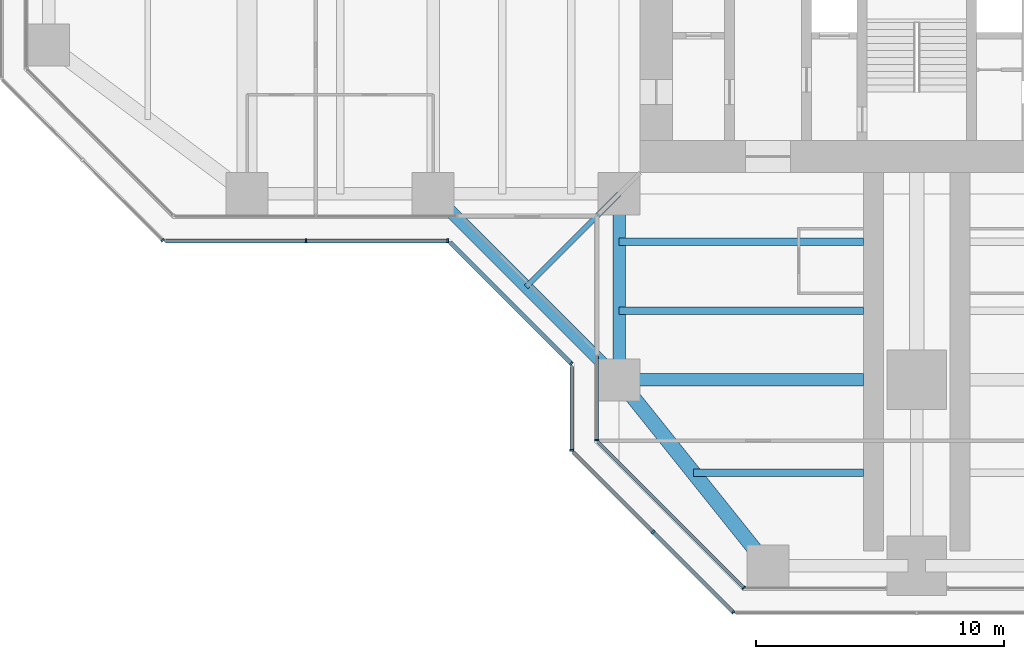
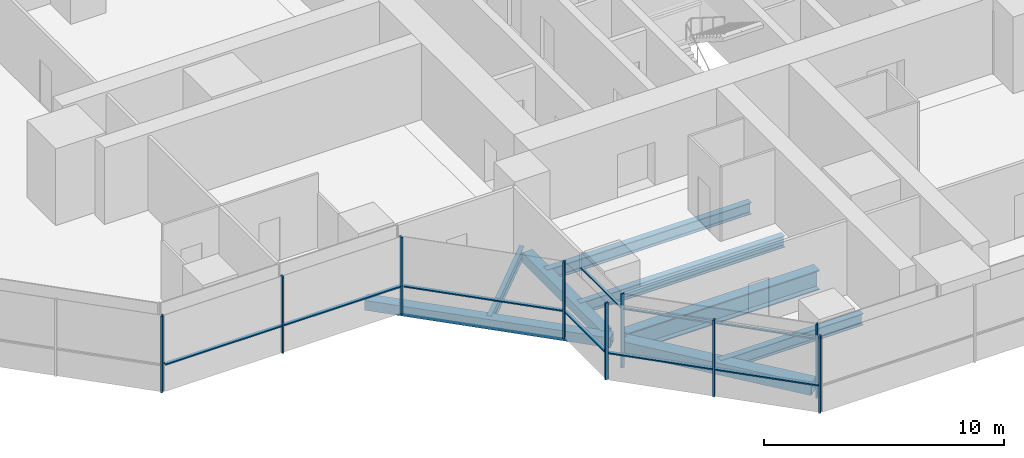
# One storey, part 2 of 19: 17 members, 8 beams, 7 elements without a shape of their own.
"""IFC4 building model written with IfcOpenShell, lengths in metres."""

from ifc_helpers import new_model, si_unit, direction, frame, origin, origin_2d, place, context, subcontext, project, spatial, rectangle, hollow_rectangle, i_section, extrude, material, material_profile, profile_set, type_object, element, aggregate, save


model = new_model("IFC4")

# Units and contexts
model_context = context("Model", 3, precision=1e-05, world=origin(), true_north=direction((0.0, 1.0)))
body_context = subcontext(model_context, "Body", "Model", "MODEL_VIEW")
ifc_project = project(units=[si_unit("LENGTHUNIT", "METRE"), si_unit("AREAUNIT", "SQUARE_METRE"), si_unit("VOLUMEUNIT", "CUBIC_METRE"), si_unit("PLANEANGLEUNIT", "RADIAN"), si_unit("MASSUNIT", "GRAM", prefix="KILO")], contexts=[model_context])

# Site, building, storey
site_placement = place(None, origin())
site = spatial("IfcSite", under=ifc_project, at=site_placement, CompositionType="ELEMENT")
building_placement = place(site_placement, origin())
building = spatial("IfcBuilding", under=site, at=building_placement, Name="Mizan Broadcast Tower", CompositionType="ELEMENT")
storey_placement = place(building_placement, frame((0.0, 0.0, 186.60009765625)))
storey = spatial("IfcBuildingStorey", under=building, at=storey_placement, Name="L43", CompositionType="ELEMENT", Elevation=186.60009765625)

# Beams
ifc_material_1 = material(Name="Steel S355", Category="steel")
ifc_material_profile_1 = material_profile(ifc_material_1, hollow_rectangle(XDim=0.5, YDim=0.5, WallThickness=0.030029296875, at=origin_2d()), Name="BOX 500x500x30")
ifc_profile_set_1 = profile_set([ifc_material_profile_1], Name="Steel S355")
beam_type_1 = type_object("IfcBeamType", Name="EDGE BEAM BOX 500x500x30", PredefinedType="SPANDREL", material=ifc_profile_set_1)
beam_1_placement = place(storey_placement, frame((-12.0, -12.449951171875, -0.380126953125), z_axis=(0.0, -1.0, 0.0), x_axis=(1.0, 0.0, 0.0)))
element("IfcBeam", 1, at=beam_1_placement, inside=storey, type_object=beam_type_1, Name="Edge beam BOX 500x500x30 L43 south arm", PredefinedType="SPANDREL", context=body_context, shape_type="SweptSolid", body=[
    extrude(hollow_rectangle(XDim=0.5, YDim=0.5, WallThickness=0.030029296875, at=origin_2d()), origin(), (0.0, 0.0, 1.0), 6.60009765625),
])
beam_2_placement = place(storey_placement, frame((-19.5, -12.0, -0.380126953125), z_axis=(0.707106781187, -0.707106781187, 0.0), x_axis=(0.707106781187, 0.707106781187, 0.0)))
element("IfcBeam", 2, at=beam_2_placement, inside=storey, type_object=beam_type_1, Name="Winter garden edge beam L43 W", PredefinedType="SPANDREL", context=body_context, shape_type="SweptSolid", body=[
    extrude(hollow_rectangle(XDim=0.5, YDim=0.5, WallThickness=0.030029296875, at=origin_2d()), origin(), (0.0, 0.0, 1.0), 10.606689453125),
])
ifc_material_2 = material(Name="Steel S355", Category="steel")
ifc_material_profile_2 = material_profile(ifc_material_2, hollow_rectangle(XDim=0.60009765625, YDim=0.60009765625, WallThickness=0.030029296875, at=origin_2d()), Name="BOX 600x600x30")
ifc_profile_set_2 = profile_set([ifc_material_profile_2], Name="Steel S355")
beam_type_2 = type_object("IfcBeamType", Name="EDGE BEAM BOX 600x600x30", PredefinedType="SPANDREL", material=ifc_profile_set_2)
beam_3_placement = place(storey_placement, frame((-11.639892578125, -19.949951171875, -0.43017578125), z_axis=(0.624673911726, -0.780885717636, 0.0), x_axis=(0.780885717636, 0.624673911726, 0.0)))
element("IfcBeam", 3, at=beam_3_placement, inside=storey, type_object=beam_type_2, Name="Edge beam BOX 600x600x30 L43 south arm", PredefinedType="SPANDREL", context=body_context, shape_type="SweptSolid", body=[
    extrude(hollow_rectangle(XDim=0.60009765625, YDim=0.60009765625, WallThickness=0.030029296875, at=origin_2d()), origin(), (0.0, 0.0, 1.0), 8.4521484375),
])
ifc_material_3 = material(Name="Steel S460", Category="steel")
ifc_material_profile_3 = material_profile(ifc_material_3, i_section(OverallWidth=0.5, OverallDepth=1.0, WebThickness=0.02490234375, FlangeThickness=0.050048828125, at=origin_2d()), Name="WPG 1000x500")
ifc_profile_set_3 = profile_set([ifc_material_profile_3], Name="Steel S460")
beam_type_3 = type_object("IfcBeamType", Name="GIRDER WPG 1000x500", PredefinedType="BEAM", material=ifc_profile_set_3)
beam_4_placement = place(storey_placement, frame((-11.408935546875, -19.5, -0.630126953125), z_axis=(1.0, 0.0, 0.0), x_axis=(0.0, 1.0, 0.0)))
element("IfcBeam", 4, at=beam_4_placement, inside=storey, type_object=beam_type_3, Name="Girder WPG 1000x500 L43 south arm", PredefinedType="BEAM", context=body_context, shape_type="SweptSolid", body=[
    extrude(i_section(OverallWidth=0.5, OverallDepth=1.0, WebThickness=0.02490234375, FlangeThickness=0.050048828125, at=origin_2d()), origin(), (0.0, 0.0, 1.0), 9.259033203125),
])

# Curtain wall, member
ifc_material_4 = material(Name="Aluminium framed glazing", Category="aluminium")
curtain_wall_type_1 = type_object("IfcCurtainWallType", Name="INNER SKIN MID ZONE", PredefinedType="USERDEFINED", material=ifc_material_4)
curtain_wall_1_placement = place(storey_placement, origin())
curtain_wall_1 = element("IfcCurtainWall", 5, at=curtain_wall_1_placement, inside=storey, type_object=curtain_wall_type_1, Name="Inner skin mid zone L43 S side", ObjectType="INNER SKIN MID ZONE", PredefinedType="USERDEFINED")
ifc_material_5 = material(Name="Aluminium, pale anodised", Category="aluminium")
ifc_material_profile_4 = material_profile(ifc_material_5, rectangle(XDim=0.159912109375, YDim=0.06005859375, at=origin_2d()), Name="MULLION 160x60")
ifc_profile_set_4 = profile_set([ifc_material_profile_4], Name="Aluminium, pale anodised")
member_type_1 = type_object("IfcMemberType", Name="INNER SKIN MULLION 60x160", PredefinedType="MULLION", material=ifc_profile_set_4)
member_1_placement = place(storey_placement, frame((-12.89990234375, -21.928466796875, 0.0), z_axis=(0.0, 0.0, 1.0), x_axis=(1.0, 0.0, 0.0)))
member_1 = element("IfcMember", 6, at=member_1_placement, type_object=member_type_1, Name="Inner skin mid zone L43 S side mullion 2", PredefinedType="MULLION", context=body_context, shape_type="SweptSolid", body=[
    extrude(rectangle(XDim=0.159912109375, YDim=0.06005859375, at=origin_2d()), origin(), (0.0, 0.0, 1.0), 3.77001953125),
])

curtain_wall_2_placement = place(storey_placement, origin())
curtain_wall_2 = element("IfcCurtainWall", 7, at=curtain_wall_2_placement, inside=storey, type_object=curtain_wall_type_1, Name="Inner skin mid zone L43 S chamfer", ObjectType="INNER SKIN MID ZONE", PredefinedType="USERDEFINED")
member_2_placement = place(storey_placement, frame((-6.979736328125, -27.87890625, 0.0), z_axis=(0.0, 0.0, 1.0), x_axis=(0.707106781187, 0.707106781187, 0.0)))
member_2 = element("IfcMember", 8, at=member_2_placement, type_object=member_type_1, Name="Inner skin mid zone L43 S chamfer mullion 2", PredefinedType="MULLION", context=body_context, shape_type="SweptSolid", body=[
    extrude(rectangle(XDim=0.159912109375, YDim=0.06005859375, at=origin_2d()), origin(), (0.0, 0.0, 1.0), 3.77001953125),
])

# Member
ifc_material_6 = material(Name="Aluminium, pale anodised", Category="aluminium")
ifc_material_profile_5 = material_profile(ifc_material_6, rectangle(XDim=0.1201171875, YDim=0.06005859375, at=origin_2d()), Name="TRANSOM 120x60")
ifc_profile_set_5 = profile_set([ifc_material_profile_5], Name="Aluminium, pale anodised")
member_type_2 = type_object("IfcMemberType", Name="INNER SKIN TRANSOM 60x120", PredefinedType="USERDEFINED", material=ifc_profile_set_5)
member_3_placement = place(storey_placement, frame((-12.89990234375, -18.56005859375, 3.02978515625), z_axis=(0.0, -1.0, 0.0), x_axis=(1.0, 0.0, 0.0)))
member_3 = element("IfcMember", 9, at=member_3_placement, type_object=member_type_2, Name="Inner skin mid zone L43 S side transom 1.1", ObjectType="TRANSOM", PredefinedType="USERDEFINED", context=body_context, shape_type="SweptSolid", body=[
    extrude(rectangle(XDim=0.1201171875, YDim=0.06005859375, at=origin_2d()), origin(), (0.0, 0.0, 1.0), 3.338623046875),
])

aggregate(curtain_wall_1, [member_1, member_3])

member_4_placement = place(storey_placement, frame((-12.857666015625, -22.0009765625, 3.02978515625), z_axis=(0.707106781187, -0.707106781187, 0.0), x_axis=(0.707106781187, 0.707106781187, 0.0)))
member_4 = element("IfcMember", 10, at=member_4_placement, type_object=member_type_2, Name="Inner skin mid zone L43 S chamfer transom 1.1", ObjectType="TRANSOM", PredefinedType="USERDEFINED", context=body_context, shape_type="SweptSolid", body=[
    extrude(rectangle(XDim=0.1201171875, YDim=0.06005859375, at=origin_2d()), origin(), (0.0, 0.0, 1.0), 8.28271484375),
])

aggregate(curtain_wall_2, [member_2, member_4])

# Curtain wall, member
ifc_material_7 = material(Name="Aluminium framed glazing", Category="aluminium")
curtain_wall_type_2 = type_object("IfcCurtainWallType", Name="OUTER SKIN", PredefinedType="USERDEFINED", material=ifc_material_7)
curtain_wall_3_placement = place(storey_placement, origin())
curtain_wall_3 = element("IfcCurtainWall", 11, at=curtain_wall_3_placement, inside=storey, type_object=curtain_wall_type_2, Name="Outer skin L43 W chamfer", ObjectType="OUTER SKIN", PredefinedType="USERDEFINED")
ifc_material_8 = material(Name="Aluminium, pale anodised", Category="aluminium")
ifc_material_profile_6 = material_profile(ifc_material_8, rectangle(XDim=0.159912109375, YDim=0.080078125, at=origin_2d()), Name="MULLION 160x80")
ifc_profile_set_6 = profile_set([ifc_material_profile_6], Name="Aluminium, pale anodised")
member_type_3 = type_object("IfcMemberType", Name="OUTER SKIN MULLION 80x160", PredefinedType="MULLION", material=ifc_profile_set_6)
member_5_placement = place(storey_placement, frame((-30.401123046875, -13.871826171875, 0.0), z_axis=(0.0, 0.0, 1.0), x_axis=(0.707106781187, 0.707106781187, 0.0)))
member_5 = element("IfcMember", 12, at=member_5_placement, type_object=member_type_3, Name="Outer skin L43 W chamfer mullion 3", PredefinedType="MULLION", context=body_context, shape_type="SweptSolid", body=[
    extrude(rectangle(XDim=0.159912109375, YDim=0.080078125, at=origin_2d()), origin(), (0.0, 0.0, 1.0), 3.89990234375),
])
aggregate(curtain_wall_3, [member_5])

# Curtain wall, members
curtain_wall_4_placement = place(storey_placement, origin())
curtain_wall_4 = element("IfcCurtainWall", 13, at=curtain_wall_4_placement, inside=storey, type_object=curtain_wall_type_2, Name="Outer skin L43 W side", ObjectType="OUTER SKIN", PredefinedType="USERDEFINED")
member_6_placement = place(storey_placement, frame((-24.622802734375, -13.89990234375, 0.0), z_axis=(0.0, 0.0, 1.0), x_axis=(0.0, 1.0, 0.0)))
member_6 = element("IfcMember", 14, at=member_6_placement, type_object=member_type_3, Name="Outer skin L43 W side mullion 2", PredefinedType="MULLION", context=body_context, shape_type="SweptSolid", body=[
    extrude(rectangle(XDim=0.159912109375, YDim=0.080078125, at=origin_2d()), origin(), (0.0, 0.0, 1.0), 3.89990234375),
])
member_7_placement = place(storey_placement, frame((-18.912841796875, -13.89990234375, 0.0), z_axis=(0.0, 0.0, 1.0), x_axis=(0.0, 1.0, 0.0)))
member_7 = element("IfcMember", 15, at=member_7_placement, type_object=member_type_3, Name="Outer skin L43 W side mullion 3", PredefinedType="MULLION", context=body_context, shape_type="SweptSolid", body=[
    extrude(rectangle(XDim=0.159912109375, YDim=0.080078125, at=origin_2d()), origin(), (0.0, 0.0, 1.0), 3.89990234375),
])

# Curtain wall, member
curtain_wall_5_placement = place(storey_placement, origin())
curtain_wall_5 = element("IfcCurtainWall", 16, at=curtain_wall_5_placement, inside=storey, type_object=curtain_wall_type_2, Name="Outer skin L43 W chamfer", ObjectType="OUTER SKIN", PredefinedType="USERDEFINED")
member_8_placement = place(storey_placement, frame((-13.92822265625, -18.844482421875, 0.0), z_axis=(0.0, 0.0, 1.0), x_axis=(0.707106781187, 0.707106781187, 0.0)))
member_8 = element("IfcMember", 17, at=member_8_placement, type_object=member_type_3, Name="Outer skin L43 W chamfer mullion 2", PredefinedType="MULLION", context=body_context, shape_type="SweptSolid", body=[
    extrude(rectangle(XDim=0.159912109375, YDim=0.080078125, at=origin_2d()), origin(), (0.0, 0.0, 1.0), 3.89990234375),
])

curtain_wall_6_placement = place(storey_placement, origin())
curtain_wall_6 = element("IfcCurtainWall", 18, at=curtain_wall_6_placement, inside=storey, type_object=curtain_wall_type_2, Name="Outer skin L43 S side", ObjectType="OUTER SKIN", PredefinedType="USERDEFINED")
member_9_placement = place(storey_placement, frame((-13.89990234375, -22.332763671875, 0.0), z_axis=(0.0, 0.0, 1.0), x_axis=(1.0, 0.0, 0.0)))
member_9 = element("IfcMember", 19, at=member_9_placement, type_object=member_type_3, Name="Outer skin L43 S side mullion 2", PredefinedType="MULLION", context=body_context, shape_type="SweptSolid", body=[
    extrude(rectangle(XDim=0.159912109375, YDim=0.080078125, at=origin_2d()), origin(), (0.0, 0.0, 1.0), 3.89990234375),
])

# Curtain wall, members
curtain_wall_7_placement = place(storey_placement, origin())
curtain_wall_7 = element("IfcCurtainWall", 20, at=curtain_wall_7_placement, inside=storey, type_object=curtain_wall_type_2, Name="Outer skin L43 S chamfer", ObjectType="OUTER SKIN", PredefinedType="USERDEFINED")
member_10_placement = place(storey_placement, frame((-10.636474609375, -25.636474609375, 0.0), z_axis=(0.0, 0.0, 1.0), x_axis=(0.707106781187, 0.707106781187, 0.0)))
member_10 = element("IfcMember", 21, at=member_10_placement, type_object=member_type_3, Name="Outer skin L43 S chamfer mullion 2", PredefinedType="MULLION", context=body_context, shape_type="SweptSolid", body=[
    extrude(rectangle(XDim=0.159912109375, YDim=0.080078125, at=origin_2d()), origin(), (0.0, 0.0, 1.0), 3.89990234375),
])
member_11_placement = place(storey_placement, frame((-7.401123046875, -28.871826171875, 0.0), z_axis=(0.0, 0.0, 1.0), x_axis=(0.707106781187, 0.707106781187, 0.0)))
member_11 = element("IfcMember", 22, at=member_11_placement, type_object=member_type_3, Name="Outer skin L43 S chamfer mullion 3", PredefinedType="MULLION", context=body_context, shape_type="SweptSolid", body=[
    extrude(rectangle(XDim=0.159912109375, YDim=0.080078125, at=origin_2d()), origin(), (0.0, 0.0, 1.0), 3.89990234375),
])

# Member
ifc_material_9 = material(Name="Aluminium, pale anodised", Category="aluminium")
ifc_material_profile_7 = material_profile(ifc_material_9, rectangle(XDim=0.159912109375, YDim=0.06005859375, at=origin_2d()), Name="TRANSOM 160x60")
ifc_profile_set_7 = profile_set([ifc_material_profile_7], Name="Aluminium, pale anodised")
member_type_4 = type_object("IfcMemberType", Name="OUTER SKIN TRANSOM 60x160", PredefinedType="USERDEFINED", material=ifc_profile_set_7)
member_12_placement = place(storey_placement, frame((-30.292724609375, -13.89990234375, 1.39990234375), z_axis=(1.0, 0.0, 0.0), x_axis=(0.0, 1.0, 0.0)))
member_12 = element("IfcMember", 23, at=member_12_placement, type_object=member_type_4, Name="Outer skin L43 W side transom 1.1", ObjectType="TRANSOM", PredefinedType="USERDEFINED", context=body_context, shape_type="SweptSolid", body=[
    extrude(rectangle(XDim=0.159912109375, YDim=0.06005859375, at=origin_2d()), origin(), (0.0, 0.0, 1.0), 5.6298828125),
])

member_13_placement = place(storey_placement, frame((-24.582763671875, -13.89990234375, 1.39990234375), z_axis=(1.0, 0.0, 0.0), x_axis=(0.0, 1.0, 0.0)))
member_13 = element("IfcMember", 24, at=member_13_placement, type_object=member_type_4, Name="Outer skin L43 W side transom 2.1", ObjectType="TRANSOM", PredefinedType="USERDEFINED", context=body_context, shape_type="SweptSolid", body=[
    extrude(rectangle(XDim=0.159912109375, YDim=0.06005859375, at=origin_2d()), origin(), (0.0, 0.0, 1.0), 5.6298828125),
])

aggregate(curtain_wall_4, [member_6, member_7, member_12, member_13])

member_14_placement = place(storey_placement, frame((-18.816162109375, -13.95654296875, 1.39990234375), z_axis=(0.707106781187, -0.707106781187, 0.0), x_axis=(0.707106781187, 0.707106781187, 0.0)))
member_14 = element("IfcMember", 25, at=member_14_placement, type_object=member_type_4, Name="Outer skin L43 W chamfer transom 1.1", ObjectType="TRANSOM", PredefinedType="USERDEFINED", context=body_context, shape_type="SweptSolid", body=[
    extrude(rectangle(XDim=0.159912109375, YDim=0.06005859375, at=origin_2d()), origin(), (0.0, 0.0, 1.0), 6.87255859375),
])

aggregate(curtain_wall_5, [member_8, member_14])

member_15_placement = place(storey_placement, frame((-13.89990234375, -18.952880859375, 1.39990234375), z_axis=(0.0, -1.0, 0.0), x_axis=(1.0, 0.0, 0.0)))
member_15 = element("IfcMember", 26, at=member_15_placement, type_object=member_type_4, Name="Outer skin L43 S side transom 1.1", ObjectType="TRANSOM", PredefinedType="USERDEFINED", context=body_context, shape_type="SweptSolid", body=[
    extrude(rectangle(XDim=0.159912109375, YDim=0.06005859375, at=origin_2d()), origin(), (0.0, 0.0, 1.0), 3.33984375),
])

aggregate(curtain_wall_6, [member_9, member_15])

member_16_placement = place(storey_placement, frame((-13.843505859375, -22.429443359375, 1.39990234375), z_axis=(0.707106781187, -0.707106781187, 0.0), x_axis=(0.707106781187, 0.707106781187, 0.0)))
member_16 = element("IfcMember", 27, at=member_16_placement, type_object=member_type_4, Name="Outer skin L43 S chamfer transom 1.1", ObjectType="TRANSOM", PredefinedType="USERDEFINED", context=body_context, shape_type="SweptSolid", body=[
    extrude(rectangle(XDim=0.159912109375, YDim=0.06005859375, at=origin_2d()), origin(), (0.0, 0.0, 1.0), 4.495361328125),
])

member_17_placement = place(storey_placement, frame((-10.608154296875, -25.664794921875, 1.39990234375), z_axis=(0.707106781187, -0.707106781187, 0.0), x_axis=(0.707106781187, 0.707106781187, 0.0)))
member_17 = element("IfcMember", 28, at=member_17_placement, type_object=member_type_4, Name="Outer skin L43 S chamfer transom 2.1", ObjectType="TRANSOM", PredefinedType="USERDEFINED", context=body_context, shape_type="SweptSolid", body=[
    extrude(rectangle(XDim=0.159912109375, YDim=0.06005859375, at=origin_2d()), origin(), (0.0, 0.0, 1.0), 4.495361328125),
])

aggregate(curtain_wall_7, [member_10, member_11, member_16, member_17])

# Beams
ifc_material_10 = material(Name="Steel S355", Category="steel")
ifc_material_profile_8 = material_profile(ifc_material_10, i_section(OverallWidth=0.300048828125, OverallDepth=0.590087890625, WebThickness=0.012939453125, FlangeThickness=0.02490234375, FilletRadius=0.027099609375, at=origin_2d()), Name="HEA 600")
ifc_profile_set_8 = profile_set([ifc_material_profile_8], Name="Steel S355")
beam_type_4 = type_object("IfcBeamType", Name="SECONDARY BEAM HEA 600", PredefinedType="JOIST", material=ifc_profile_set_8)
for number, where, z_axis, x_axis, name in (
    (29, (-12.0, -13.933349609375, -0.425048828125), (1.0, 0.0, 0.0), (0.0, 1.0, 0.0), "Secondary beam HEA 600 L43 south arm"),
    (30, (-12.0, -16.716552734375, -0.425048828125), (1.0, 0.0, 0.0), (0.0, 1.0, 0.0), "Secondary beam HEA 600 L43 south arm"),
):
    element("IfcBeam", number, at=place(storey_placement, frame(where, z_axis=z_axis, x_axis=x_axis)), inside=storey, type_object=beam_type_4, Name=name, PredefinedType="JOIST", context=body_context, shape_type="SweptSolid", body=[
        extrude(i_section(OverallWidth=0.300048828125, OverallDepth=0.590087890625, WebThickness=0.012939453125, FlangeThickness=0.02490234375, FilletRadius=0.027099609375, at=origin_2d()), origin(), (0.0, 0.0, 1.0), 9.85009765625),
    ])
beam_5_placement = place(storey_placement, frame((-9.0, -23.25, -0.425048828125), z_axis=(1.0, 0.0, 0.0), x_axis=(0.0, 1.0, 0.0)))
element("IfcBeam", 31, at=beam_5_placement, inside=storey, type_object=beam_type_4, Name="Secondary beam HEA 600 L43 south arm", PredefinedType="JOIST", context=body_context, shape_type="SweptSolid", body=[
    extrude(i_section(OverallWidth=0.300048828125, OverallDepth=0.590087890625, WebThickness=0.012939453125, FlangeThickness=0.02490234375, FilletRadius=0.027099609375, at=origin_2d()), origin(), (0.0, 0.0, 1.0), 6.85009765625),
])
ifc_material_11 = material(Name="Steel S355", Category="steel")
ifc_material_profile_9 = material_profile(ifc_material_11, i_section(OverallWidth=0.2099609375, OverallDepth=0.550048828125, WebThickness=0.010986328125, FlangeThickness=0.01708984375, FilletRadius=0.02392578125, at=origin_2d()), Name="IPE 550")
ifc_profile_set_9 = profile_set([ifc_material_profile_9], Name="Steel S355")
beam_type_5 = type_object("IfcBeamType", Name="SECONDARY BEAM IPE 550", PredefinedType="JOIST", material=ifc_profile_set_9)
beam_6_placement = place(storey_placement, frame((-12.0, -12.0, -0.405029296875), z_axis=(-0.707106781187, -0.707106781187, 0.0), x_axis=(0.707106781187, -0.707106781187, 0.0)))
element("IfcBeam", 32, at=beam_6_placement, inside=storey, type_object=beam_type_5, Name="Winter garden beam L43 W", PredefinedType="JOIST", context=body_context, shape_type="SweptSolid", body=[
    extrude(i_section(OverallWidth=0.2099609375, OverallDepth=0.550048828125, WebThickness=0.010986328125, FlangeThickness=0.01708984375, FilletRadius=0.02392578125, at=origin_2d()), origin(), (0.0, 0.0, 1.0), 5.30322265625),
])

save(model, "model.ifc")
